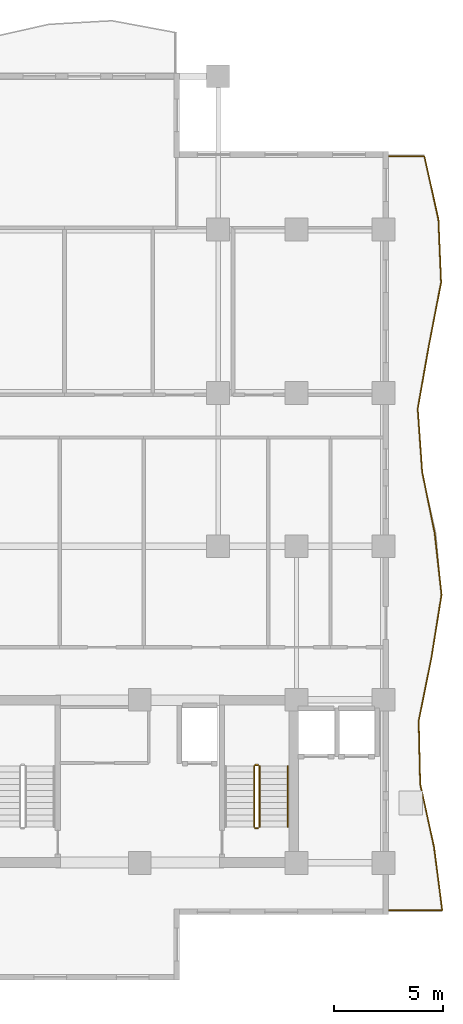
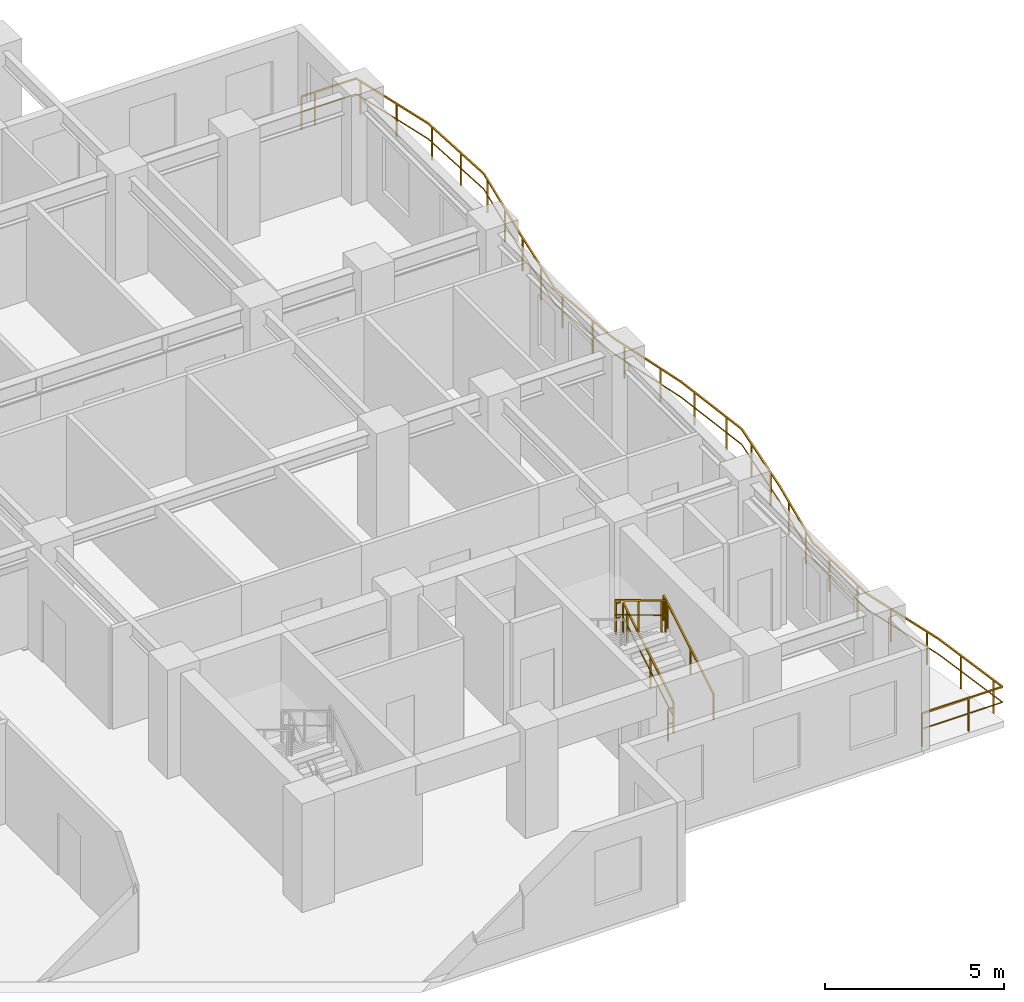
# One storey, part 12 of 13: 6 railings.
"""IFC4 building model written with IfcOpenShell, lengths in metres."""

import ifcopenshell
import ifcopenshell.guid

model = None  # the IFC model being written
_history = None  # IfcOwnerHistory: only IFC2X3 demands one
_inside = {}  # id of a spatial element -> (the spatial element, [elements in it])
_under = {}  # id of a project, library or spatial element -> (it, [spatial elements below it])
_declared = {}  # id of a project -> (the project, [libraries it declares])
_typed = {}  # id of a type object -> (the type object, [elements of that type])
_made_of = {}  # id of a material, layer set ... -> (it, [elements and type objects made of it])


def new_model(schema):
    """Start an empty IFC model of exactly this schema.

    Asked for "IFC4X3", IfcOpenShell would pick the latest addendum, in which some entities
    have other attributes; the version numbers below select the first issue.
    IFC2X3 requires an IfcOwnerHistory on every rooted entity: one is made here for all.
    """
    global model, _history
    if schema == "IFC4X3":
        model = ifcopenshell.file(schema_version=(4, 3, 0, 0))
    else:
        model = ifcopenshell.file(schema=schema)
    _inside.clear()
    _under.clear()
    _declared.clear()
    _typed.clear()
    _made_of.clear()
    _history = None
    if model.schema == "IFC2X3":
        org = make("IfcOrganization", Name="unknown")
        user = make(
            "IfcPersonAndOrganization",
            ThePerson=make("IfcPerson", FamilyName="unknown"),
            TheOrganization=org,
        )
        app = make(
            "IfcApplication",
            ApplicationDeveloper=org,
            Version="unknown",
            ApplicationFullName="unknown",
            ApplicationIdentifier="unknown",
        )
        _history = make(
            "IfcOwnerHistory",
            OwningUser=user,
            OwningApplication=app,
            ChangeAction="ADDED",
            CreationDate=0,
        )
    return model


def make(cls, **values):
    """One entity of the class cls with the attributes given. An attribute that is None is left unset."""
    return model.create_entity(
        cls, **{name: value for name, value in values.items() if value is not None}
    )


def rooted(cls, **values):
    """An entity with a GlobalId (a new one), such as an element, a storey or a relation."""
    return make(cls, GlobalId=ifcopenshell.guid.new(), OwnerHistory=_history, **values)


def si_unit(unit_type, name, prefix=None):
    """IfcSIUnit, for example si_unit("LENGTHUNIT", "METRE", prefix="MILLI")."""
    return make("IfcSIUnit", UnitType=unit_type, Prefix=prefix, Name=name)


def assignment(units):
    """IfcUnitAssignment: the units of a project."""
    return None if units is None else make("IfcUnitAssignment", Units=units)


def point(xyz):
    """IfcCartesianPoint."""
    return None if xyz is None else make("IfcCartesianPoint", Coordinates=xyz)


def direction(xyz):
    """IfcDirection."""
    return None if xyz is None else make("IfcDirection", DirectionRatios=xyz)


def frame(location, z_axis=None, x_axis=None):
    """IfcAxis2Placement3D, a coordinate frame: its origin and axes. An axis left out is left unset."""
    return make(
        "IfcAxis2Placement3D",
        Location=point(location),
        Axis=direction(z_axis),
        RefDirection=direction(x_axis),
    )


def frame_2d(location, x_axis=None):
    """IfcAxis2Placement2D, a coordinate frame in the plane: its origin and x axis."""
    return make(
        "IfcAxis2Placement2D", Location=point(location), RefDirection=direction(x_axis)
    )


def origin():
    """The frame at (0, 0, 0) with its axes left unset."""
    return frame((0.0, 0.0, 0.0))


def origin_2d():
    """The frame at (0, 0) in the plane with its x axis left unset."""
    return frame_2d((0.0, 0.0))


def place(relative_to, where):
    """IfcLocalPlacement: puts the frame where relative to a parent placement (None: the world)."""
    return make(
        "IfcLocalPlacement", PlacementRelTo=relative_to, RelativePlacement=where
    )


def context(
    kind, dimensions, precision=None, world=None, true_north=None, identifier=None
):
    """IfcGeometricRepresentationContext, for example the 3D "Model" context."""
    return make(
        "IfcGeometricRepresentationContext",
        ContextIdentifier=identifier,
        ContextType=kind,
        CoordinateSpaceDimension=dimensions,
        Precision=precision,
        WorldCoordinateSystem=world,
        TrueNorth=true_north,
    )


def subcontext(parent, identifier, kind, view, scale=None):
    """IfcGeometricRepresentationSubContext, for example "Body" below "Model"."""
    return make(
        "IfcGeometricRepresentationSubContext",
        ContextIdentifier=identifier,
        ContextType=kind,
        ParentContext=parent,
        TargetScale=scale,
        TargetView=view,
    )


def project(units=None, contexts=None):
    """IfcProject with its units and contexts."""
    return rooted(
        "IfcProject",
        Name="project",
        RepresentationContexts=contexts,
        UnitsInContext=assignment(units),
    )


def spatial(cls, under=None, at=None, **own):
    """A site, building, storey or space (cls), placed at a placement, below another one or the project."""
    s = rooted(cls, ObjectPlacement=at, **own)
    if under is not None:
        _under.setdefault(under.id(), (under, []))[1].append(s)
    return s


def profile(cls, at=None, kind="AREA", **sizes):
    """A parametric profile (cls). Its sizes go by their IFC names, for example OverallWidth=200.0."""
    return make(cls, ProfileType=kind, Position=at, **sizes)


def rectangle(**sizes):
    """IfcRectangleProfileDef."""
    return profile("IfcRectangleProfileDef", **sizes)


def extrude(swept, where, along, depth):
    """IfcExtrudedAreaSolid: the profile swept, set in the frame where, extruded along a direction by depth."""
    return make(
        "IfcExtrudedAreaSolid",
        SweptArea=swept,
        Position=where,
        ExtrudedDirection=direction(along),
        Depth=depth,
    )


def shape(context_of_items, identifier, shape_type, items):
    """IfcShapeRepresentation: the items that make up one representation, for example the "Body"."""
    return make(
        "IfcShapeRepresentation",
        ContextOfItems=context_of_items,
        RepresentationIdentifier=identifier,
        RepresentationType=shape_type,
        Items=items,
    )


def material(Name=None, Category=None):
    """IfcMaterial."""
    return make("IfcMaterial", Name=Name, Category=Category)


def made_of(thing, what):
    """Note that an element or type object is made of a material, layer set ...; save() writes the relation."""
    if what is not None:
        _made_of.setdefault(what.id(), (what, []))[1].append(thing)
    return thing


def type_object(cls, material=None, **own):
    """A type object (cls), such as IfcWallType, which elements share."""
    return made_of(rooted(cls, **own), material)


def element(
    cls,
    number,
    at=None,
    inside=None,
    cuts=None,
    type_object=None,
    material=None,
    context=None,
    identifier="Body",
    shape_type=None,
    held_by="IfcProductDefinitionShape",
    body=None,
    shapes=None,
    **own,
):
    """One element of the class cls, such as IfcWall. Its Tag is "e" and its number.

    at: its placement. inside: the storey or other place that contains it. cuts: it is an
    opening in that element (IfcRelVoidsElement). A single representation is given by context,
    identifier, shape_type and body (its items); several are given by shapes. held_by: the class
    of the entity that holds the representations. save() writes the other relations.
    """
    e = rooted(cls, Tag="e%d" % number, ObjectPlacement=at, **own)
    if body is not None:
        shapes = [shape(context, identifier, shape_type, body)]
    if shapes is not None:
        e.Representation = make(held_by, Representations=shapes)
    if inside is not None:
        _inside.setdefault(inside.id(), (inside, []))[1].append(e)
    if cuts is not None:
        rooted(
            "IfcRelVoidsElement", RelatingBuildingElement=cuts, RelatedOpeningElement=e
        )
    if type_object is not None:
        _typed.setdefault(type_object.id(), (type_object, []))[1].append(e)
    return made_of(e, material)


def aggregate(whole, parts):
    """IfcRelAggregates: a whole, such as a stair, and the parts it consists of."""
    return rooted("IfcRelAggregates", RelatingObject=whole, RelatedObjects=parts)


def save(model, path):
    """Write the relations noted so far, then the file.

    IfcRelAggregates (storeys below a building ...), IfcRelContainedInSpatialStructure (elements
    in a storey), IfcRelDefinesByType, IfcRelAssociatesMaterial and IfcRelDeclares: one each for
    every whole, place, type object, material and project.
    """
    for whole, parts in _under.values():
        aggregate(whole, parts)
    for where, things in _inside.values():
        rooted(
            "IfcRelContainedInSpatialStructure",
            RelatedElements=things,
            RelatingStructure=where,
        )
    for kind, things in _typed.values():
        rooted("IfcRelDefinesByType", RelatedObjects=things, RelatingType=kind)
    for what, things in _made_of.values():
        rooted("IfcRelAssociatesMaterial", RelatedObjects=things, RelatingMaterial=what)
    for by, libraries in _declared.values():
        rooted("IfcRelDeclares", RelatingContext=by, RelatedDefinitions=libraries)
    model.write(path)


model = new_model("IFC4")

# Units and contexts
model_context = context("Model", 3, precision=1e-05, world=origin(), true_north=direction((0.0, 1.0)))
body_context = subcontext(model_context, "Body", "Model", "MODEL_VIEW")
ifc_project = project(units=[si_unit("LENGTHUNIT", "METRE"), si_unit("AREAUNIT", "SQUARE_METRE"), si_unit("VOLUMEUNIT", "CUBIC_METRE"), si_unit("PLANEANGLEUNIT", "RADIAN"), si_unit("MASSUNIT", "GRAM", prefix="KILO")], contexts=[model_context])

# Site, building, storey
site_placement = place(None, origin())
site = spatial("IfcSite", under=ifc_project, at=site_placement, CompositionType="ELEMENT")
building_placement = place(site_placement, origin())
building = spatial("IfcBuilding", under=site, at=building_placement, Name="Kaliganga Portal Commons", CompositionType="ELEMENT")
storey_placement = place(building_placement, frame((0.0, 0.0, 166.10009765625)))
storey = spatial("IfcBuildingStorey", under=building, at=storey_placement, Name="L42", CompositionType="ELEMENT", Elevation=166.10009765625)

# Railings
ifc_material_1 = material(Name="Laminated Safety Glass and Stainless Steel 316", Category="steel")
railing_type_1 = type_object("IfcRailingType", Name="RLG-BAL-1150", PredefinedType="BALUSTRADE", material=ifc_material_1)
railing_1_placement = place(storey_placement, frame((54.50830078125, 4.879638671875, 0.0)))
element("IfcRailing", 1, at=railing_1_placement, inside=storey, type_object=railing_type_1, Name="Balcony Guardrail L42 balc_east", PredefinedType="BALUSTRADE", context=body_context, shape_type="SweptSolid", body=[
    extrude(rectangle(XDim=0.048095703125, YDim=0.048095703125, at=origin_2d()), frame((0.0, 0.0, 1.1259765625), z_axis=(0.99999999555, 9.4339622e-05, 0.0), x_axis=(-9.4339622e-05, 0.99999999555, 0.0)), (0.0, 0.0, 1.0), 2.587890625),
    extrude(rectangle(XDim=0.028076171875, YDim=0.028076171875, at=origin_2d()), frame((0.0, 0.0, 0.597900390625), z_axis=(0.99999999555, 9.4339622e-05, 0.0), x_axis=(-9.4339622e-05, 0.99999999555, 0.0)), (0.0, 0.0, 1.0), 2.587890625),
    extrude(rectangle(XDim=0.048095703125, YDim=0.048095703125, at=origin_2d()), frame((2.587890625, 0.000244140625, 1.1259765625), z_axis=(-0.128400459118, 0.991722401733, 0.0), x_axis=(-0.991722401733, -0.128400459118, 0.0)), (0.0, 0.0, 1.0), 2.92431640625),
    extrude(rectangle(XDim=0.028076171875, YDim=0.028076171875, at=origin_2d()), frame((2.587890625, 0.000244140625, 0.597900390625), z_axis=(-0.128400459118, 0.991722401733, 0.0), x_axis=(-0.991722401733, -0.128400459118, 0.0)), (0.0, 0.0, 1.0), 2.92431640625),
    extrude(rectangle(XDim=0.048095703125, YDim=0.048095703125, at=origin_2d()), frame((2.21240234375, 2.900390625, 1.1259765625), z_axis=(-0.214143216207, 0.976802274236, 0.0), x_axis=(-0.976802274236, -0.214143216207, 0.0)), (0.0, 0.0, 1.0), 2.96875),
    extrude(rectangle(XDim=0.028076171875, YDim=0.028076171875, at=origin_2d()), frame((2.21240234375, 2.900390625, 0.597900390625), z_axis=(-0.214143216207, 0.976802274236, 0.0), x_axis=(-0.976802274236, -0.214143216207, 0.0)), (0.0, 0.0, 1.0), 2.96875),
    extrude(rectangle(XDim=0.048095703125, YDim=0.048095703125, at=origin_2d()), frame((1.57666015625, 5.80029296875, 1.1259765625), z_axis=(-0.023396237328, 0.999726270576, 0.0), x_axis=(-0.999726270576, -0.023396237328, 0.0)), (0.0, 0.0, 1.0), 2.90087890625),
    extrude(rectangle(XDim=0.028076171875, YDim=0.028076171875, at=origin_2d()), frame((1.57666015625, 5.80029296875, 0.597900390625), z_axis=(-0.023396237328, 0.999726270576, 0.0), x_axis=(-0.999726270576, -0.023396237328, 0.0)), (0.0, 0.0, 1.0), 2.90087890625),
    extrude(rectangle(XDim=0.048095703125, YDim=0.048095703125, at=origin_2d()), frame((1.5087890625, 8.700439453125, 1.1259765625), z_axis=(0.197576058239, 0.980287560469, 0.0), x_axis=(-0.980287560469, 0.197576058239, 0.0)), (0.0, 0.0, 1.0), 2.958251953125),
    extrude(rectangle(XDim=0.028076171875, YDim=0.028076171875, at=origin_2d()), frame((1.5087890625, 8.700439453125, 0.597900390625), z_axis=(0.197576058239, 0.980287560469, 0.0), x_axis=(-0.980287560469, 0.197576058239, 0.0)), (0.0, 0.0, 1.0), 2.958251953125),
    extrude(rectangle(XDim=0.048095703125, YDim=0.048095703125, at=origin_2d()), frame((2.09326171875, 11.600341796875, 1.1259765625), z_axis=(0.158337716626, 0.987385014821, 0.0), x_axis=(-0.987385014821, 0.158337716626, 0.0)), (0.0, 0.0, 1.0), 2.934326171875),
    extrude(rectangle(XDim=0.028076171875, YDim=0.028076171875, at=origin_2d()), frame((2.09326171875, 11.600341796875, 0.597900390625), z_axis=(0.158337716626, 0.987385014821, 0.0), x_axis=(-0.987385014821, 0.158337716626, 0.0)), (0.0, 0.0, 1.0), 2.934326171875),
    extrude(rectangle(XDim=0.048095703125, YDim=0.048095703125, at=origin_2d()), frame((2.557861328125, 14.49755859375, 1.1259765625), z_axis=(-0.110799459341, 0.993842784252, 0.0), x_axis=(-0.993842784252, -0.110799459341, 0.0)), (0.0, 0.0, 1.0), 2.84033203125),
    extrude(rectangle(XDim=0.028076171875, YDim=0.028076171875, at=origin_2d()), frame((2.557861328125, 14.49755859375, 0.597900390625), z_axis=(-0.110799459341, 0.993842784252, 0.0), x_axis=(-0.993842784252, -0.110799459341, 0.0)), (0.0, 0.0, 1.0), 2.84033203125),
    extrude(rectangle(XDim=0.048095703125, YDim=0.048095703125, at=origin_2d()), frame((2.2431640625, 17.3203125, 1.1259765625), z_axis=(-0.20033887783, 0.979726662917, 0.0), x_axis=(-0.979726662917, -0.20033887783, 0.0)), (0.0, 0.0, 1.0), 2.87841796875),
    extrude(rectangle(XDim=0.028076171875, YDim=0.028076171875, at=origin_2d()), frame((2.2431640625, 17.3203125, 0.597900390625), z_axis=(-0.20033887783, 0.979726662917, 0.0), x_axis=(-0.979726662917, -0.20033887783, 0.0)), (0.0, 0.0, 1.0), 2.87841796875),
    extrude(rectangle(XDim=0.048095703125, YDim=0.048095703125, at=origin_2d()), frame((1.66650390625, 20.140380859375, 1.1259765625), z_axis=(-0.069784836878, 0.997562066511, 0.0), x_axis=(-0.997562066511, -0.069784836878, 0.0)), (0.0, 0.0, 1.0), 2.9072265625),
    extrude(rectangle(XDim=0.028076171875, YDim=0.028076171875, at=origin_2d()), frame((1.66650390625, 20.140380859375, 0.597900390625), z_axis=(-0.069784836878, 0.997562066511, 0.0), x_axis=(-0.997562066511, -0.069784836878, 0.0)), (0.0, 0.0, 1.0), 2.9072265625),
    extrude(rectangle(XDim=0.048095703125, YDim=0.048095703125, at=origin_2d()), frame((1.463623046875, 23.04052734375, 1.1259765625), z_axis=(0.173695468157, 0.984799413252, 0.0), x_axis=(-0.984799413252, 0.173695468157, 0.0)), (0.0, 0.0, 1.0), 2.944580078125),
    extrude(rectangle(XDim=0.028076171875, YDim=0.028076171875, at=origin_2d()), frame((1.463623046875, 23.04052734375, 0.597900390625), z_axis=(0.173695468157, 0.984799413252, 0.0), x_axis=(-0.984799413252, 0.173695468157, 0.0)), (0.0, 0.0, 1.0), 2.944580078125),
    extrude(rectangle(XDim=0.048095703125, YDim=0.048095703125, at=origin_2d()), frame((1.97509765625, 25.9404296875, 1.1259765625), z_axis=(0.190088720268, 0.981766916547, 0.0), x_axis=(-0.981766916547, 0.190088720268, 0.0)), (0.0, 0.0, 1.0), 2.9541015625),
    extrude(rectangle(XDim=0.028076171875, YDim=0.028076171875, at=origin_2d()), frame((1.97509765625, 25.9404296875, 0.597900390625), z_axis=(0.190088720268, 0.981766916547, 0.0), x_axis=(-0.981766916547, 0.190088720268, 0.0)), (0.0, 0.0, 1.0), 2.9541015625),
    extrude(rectangle(XDim=0.048095703125, YDim=0.048095703125, at=origin_2d()), frame((2.53662109375, 28.840576171875, 1.1259765625), z_axis=(-0.0421413488, 0.999111658786, 0.0), x_axis=(-0.999111658786, -0.0421413488, 0.0)), (0.0, 0.0, 1.0), 2.902587890625),
    extrude(rectangle(XDim=0.028076171875, YDim=0.028076171875, at=origin_2d()), frame((2.53662109375, 28.840576171875, 0.597900390625), z_axis=(-0.0421413488, 0.999111658786, 0.0), x_axis=(-0.999111658786, -0.0421413488, 0.0)), (0.0, 0.0, 1.0), 2.902587890625),
    extrude(rectangle(XDim=0.048095703125, YDim=0.048095703125, at=origin_2d()), frame((2.414306640625, 31.740478515625, 1.1259765625), z_axis=(-0.217904744136, 0.975970041796, 0.0), x_axis=(-0.975970041796, -0.217904744136, 0.0)), (0.0, 0.0, 1.0), 2.97119140625),
    extrude(rectangle(XDim=0.028076171875, YDim=0.028076171875, at=origin_2d()), frame((2.414306640625, 31.740478515625, 0.597900390625), z_axis=(-0.217904744136, 0.975970041796, 0.0), x_axis=(-0.975970041796, -0.217904744136, 0.0)), (0.0, 0.0, 1.0), 2.97119140625),
    extrude(rectangle(XDim=0.048095703125, YDim=0.048095703125, at=origin_2d()), frame((1.766845703125, 34.640380859375, 1.1259765625), z_axis=(-0.999999961813, 0.000276357596, 0.0), x_axis=(-0.000276357596, -0.999999961813, 0.0)), (0.0, 0.0, 1.0), 1.766845703125),
    extrude(rectangle(XDim=0.028076171875, YDim=0.028076171875, at=origin_2d()), frame((1.766845703125, 34.640380859375, 0.597900390625), z_axis=(-0.999999961813, 0.000276357596, 0.0), x_axis=(-0.000276357596, -0.999999961813, 0.0)), (0.0, 0.0, 1.0), 1.766845703125),
    extrude(rectangle(XDim=0.0419921875, YDim=0.0419921875, at=origin_2d()), origin(), (0.0, 0.0, 1.0), 1.101806640625),
    extrude(rectangle(XDim=0.0419921875, YDim=0.0419921875, at=origin_2d()), frame((1.5, 0.000244140625, 0.0)), (0.0, 0.0, 1.0), 1.101806640625),
    extrude(rectangle(XDim=0.0419921875, YDim=0.0419921875, at=origin_2d()), frame((2.534912109375, 0.408935546875, 0.0)), (0.0, 0.0, 1.0), 1.101806640625),
    extrude(rectangle(XDim=0.0419921875, YDim=0.0419921875, at=origin_2d()), frame((2.34228515625, 1.896484375, 0.0)), (0.0, 0.0, 1.0), 1.101806640625),
    extrude(rectangle(XDim=0.0419921875, YDim=0.0419921875, at=origin_2d()), frame((2.10791015625, 3.376953125, 0.0)), (0.0, 0.0, 1.0), 1.101806640625),
    extrude(rectangle(XDim=0.0419921875, YDim=0.0419921875, at=origin_2d()), frame((1.78662109375, 4.842041015625, 0.0)), (0.0, 0.0, 1.0), 1.101806640625),
    extrude(rectangle(XDim=0.0419921875, YDim=0.0419921875, at=origin_2d()), frame((1.564453125, 6.319091796875, 0.0)), (0.0, 0.0, 1.0), 1.101806640625),
    extrude(rectangle(XDim=0.0419921875, YDim=0.0419921875, at=origin_2d()), frame((1.529541015625, 7.818603515625, 0.0)), (0.0, 0.0, 1.0), 1.101806640625),
    extrude(rectangle(XDim=0.0419921875, YDim=0.0419921875, at=origin_2d()), frame((1.630859375, 9.306396484375, 0.0)), (0.0, 0.0, 1.0), 1.101806640625),
    extrude(rectangle(XDim=0.0419921875, YDim=0.0419921875, at=origin_2d()), frame((1.92724609375, 10.776611328125, 0.0)), (0.0, 0.0, 1.0), 1.101806640625),
    extrude(rectangle(XDim=0.0419921875, YDim=0.0419921875, at=origin_2d()), frame((2.19775390625, 12.251953125, 0.0)), (0.0, 0.0, 1.0), 1.101806640625),
    extrude(rectangle(XDim=0.0419921875, YDim=0.0419921875, at=origin_2d()), frame((2.435302734375, 13.73291015625, 0.0)), (0.0, 0.0, 1.0), 1.101806640625),
    extrude(rectangle(XDim=0.0419921875, YDim=0.0419921875, at=origin_2d()), frame((2.4775390625, 15.21875, 0.0)), (0.0, 0.0, 1.0), 1.101806640625),
    extrude(rectangle(XDim=0.0419921875, YDim=0.0419921875, at=origin_2d()), frame((2.311279296875, 16.70947265625, 0.0)), (0.0, 0.0, 1.0), 1.101806640625),
    extrude(rectangle(XDim=0.0419921875, YDim=0.0419921875, at=origin_2d()), frame((2.065673828125, 18.187744140625, 0.0)), (0.0, 0.0, 1.0), 1.101806640625),
    extrude(rectangle(XDim=0.0419921875, YDim=0.0419921875, at=origin_2d()), frame((1.765380859375, 19.6572265625, 0.0)), (0.0, 0.0, 1.0), 1.101806640625),
    extrude(rectangle(XDim=0.0419921875, YDim=0.0419921875, at=origin_2d()), frame((1.59619140625, 21.144775390625, 0.0)), (0.0, 0.0, 1.0), 1.101806640625),
    extrude(rectangle(XDim=0.0419921875, YDim=0.0419921875, at=origin_2d()), frame((1.491455078125, 22.64111328125, 0.0)), (0.0, 0.0, 1.0), 1.101806640625),
    extrude(rectangle(XDim=0.0419921875, YDim=0.0419921875, at=origin_2d()), frame((1.654541015625, 24.12353515625, 0.0)), (0.0, 0.0, 1.0), 1.101806640625),
    extrude(rectangle(XDim=0.0419921875, YDim=0.0419921875, at=origin_2d()), frame((1.915283203125, 25.6005859375, 0.0)), (0.0, 0.0, 1.0), 1.101806640625),
    extrude(rectangle(XDim=0.0419921875, YDim=0.0419921875, at=origin_2d()), frame((2.194580078125, 27.074462890625, 0.0)), (0.0, 0.0, 1.0), 1.101806640625),
    extrude(rectangle(XDim=0.0419921875, YDim=0.0419921875, at=origin_2d()), frame((2.479736328125, 28.547119140625, 0.0)), (0.0, 0.0, 1.0), 1.101806640625),
    extrude(rectangle(XDim=0.0419921875, YDim=0.0419921875, at=origin_2d()), frame((2.486083984375, 30.04052734375, 0.0)), (0.0, 0.0, 1.0), 1.101806640625),
    extrude(rectangle(XDim=0.0419921875, YDim=0.0419921875, at=origin_2d()), frame((2.4228515625, 31.539306640625, 0.0)), (0.0, 0.0, 1.0), 1.101806640625),
    extrude(rectangle(XDim=0.0419921875, YDim=0.0419921875, at=origin_2d()), frame((2.13134765625, 33.0078125, 0.0)), (0.0, 0.0, 1.0), 1.101806640625),
    extrude(rectangle(XDim=0.0419921875, YDim=0.0419921875, at=origin_2d()), frame((1.804443359375, 34.4716796875, 0.0)), (0.0, 0.0, 1.0), 1.101806640625),
    extrude(rectangle(XDim=0.0419921875, YDim=0.0419921875, at=origin_2d()), frame((0.439697265625, 34.640869140625, 0.0)), (0.0, 0.0, 1.0), 1.101806640625),
    extrude(rectangle(XDim=0.0419921875, YDim=0.0419921875, at=origin_2d()), frame((0.0, 34.640869140625, 0.0)), (0.0, 0.0, 1.0), 1.101806640625),
])
ifc_material_2 = material(Name="Galvanized Painted Steel Balustrade", Category="steel")
railing_type_2 = type_object("IfcRailingType", Name="RLG-STAIR-GRD", PredefinedType="GUARDRAIL", material=ifc_material_2)
railing_2_placement = place(storey_placement, frame((48.699951171875, 8.699951171875, 0.16796875)))
element("IfcRailing", 2, at=railing_2_placement, inside=storey, type_object=railing_type_2, Name="L42 ST-B2 stair guard 1", PredefinedType="GUARDRAIL", context=body_context, shape_type="SweptSolid", body=[
    extrude(rectangle(XDim=0.048095703125, YDim=0.048095703125, at=origin_2d()), frame((0.0, 0.0, 1.072021484375), z_axis=(0.0, 0.857242210791, 0.514913383045), x_axis=(-1.0, 0.0, 0.0)), (0.0, 0.0, 1.0), 3.266357421875),
    extrude(rectangle(XDim=0.028076171875, YDim=0.028076171875, at=origin_2d()), frame((0.0, 0.0, 0.572021484375), z_axis=(0.0, 0.857242210791, 0.514913383045), x_axis=(-1.0, 0.0, 0.0)), (0.0, 0.0, 1.0), 3.266357421875),
    extrude(rectangle(XDim=0.0419921875, YDim=0.0419921875, at=origin_2d()), origin(), (0.0, 0.0, 1.0), 1.052001953125),
    extrude(rectangle(XDim=0.0419921875, YDim=0.0419921875, at=origin_2d()), frame((0.0, 1.285888671875, 0.7724609375)), (0.0, 0.0, 1.0), 1.052001953125),
    extrude(rectangle(XDim=0.0419921875, YDim=0.0419921875, at=origin_2d()), frame((0.0, 2.57177734375, 1.544677734375)), (0.0, 0.0, 1.0), 1.052001953125),
    extrude(rectangle(XDim=0.0419921875, YDim=0.0419921875, at=origin_2d()), frame((0.0, 2.800048828125, 1.681884765625)), (0.0, 0.0, 1.0), 1.052001953125),
])
railing_3_placement = place(storey_placement, frame((48.64990234375, 11.550048828125, 1.849853515625)))
element("IfcRailing", 3, at=railing_3_placement, inside=storey, type_object=railing_type_2, Name="L42 ST-B2 stair guard 2", PredefinedType="GUARDRAIL", context=body_context, shape_type="SweptSolid", body=[
    extrude(rectangle(XDim=0.048095703125, YDim=0.048095703125, at=origin_2d()), frame((0.0, 0.0, 1.076171875), z_axis=(-1.0, 0.0, 0.0), x_axis=(0.0, -1.0, 0.0)), (0.0, 0.0, 1.0), 0.14990234375),
    extrude(rectangle(XDim=0.028076171875, YDim=0.028076171875, at=origin_2d()), frame((0.0, 0.0, 0.572021484375), z_axis=(-1.0, 0.0, 0.0), x_axis=(0.0, -1.0, 0.0)), (0.0, 0.0, 1.0), 0.14990234375),
    extrude(rectangle(XDim=0.0419921875, YDim=0.0419921875, at=origin_2d()), frame((-0.14990234375, 0.0, 0.0)), (0.0, 0.0, 1.0), 1.052001953125),
])
railing_4_placement = place(storey_placement, frame((48.449951171875, 11.5, 2.01806640625)))
element("IfcRailing", 4, at=railing_4_placement, inside=storey, type_object=railing_type_2, Name="L42 ST-B2 stair guard 3", PredefinedType="GUARDRAIL", context=body_context, shape_type="SweptSolid", body=[
    extrude(rectangle(XDim=0.048095703125, YDim=0.048095703125, at=origin_2d()), frame((0.0, 0.0, 1.072021484375), z_axis=(0.0, -0.857242210791, 0.514913383045), x_axis=(1.0, 0.0, 0.0)), (0.0, 0.0, 1.0), 3.266357421875),
    extrude(rectangle(XDim=0.028076171875, YDim=0.028076171875, at=origin_2d()), frame((0.0, 0.0, 0.572021484375), z_axis=(0.0, -0.857242210791, 0.514913383045), x_axis=(1.0, 0.0, 0.0)), (0.0, 0.0, 1.0), 3.266357421875),
    extrude(rectangle(XDim=0.0419921875, YDim=0.0419921875, at=origin_2d()), origin(), (0.0, 0.0, 1.0), 1.052001953125),
    extrude(rectangle(XDim=0.0419921875, YDim=0.0419921875, at=origin_2d()), frame((0.0, -1.285888671875, 0.7724609375)), (0.0, 0.0, 1.0), 1.052001953125),
    extrude(rectangle(XDim=0.0419921875, YDim=0.0419921875, at=origin_2d()), frame((0.0, -2.57177734375, 1.544677734375)), (0.0, 0.0, 1.0), 1.052001953125),
    extrude(rectangle(XDim=0.0419921875, YDim=0.0419921875, at=origin_2d()), frame((0.0, -2.800048828125, 1.681884765625)), (0.0, 0.0, 1.0), 1.052001953125),
])
railing_5_placement = place(storey_placement, frame((48.64990234375, 8.64990234375, 0.0)))
element("IfcRailing", 5, at=railing_5_placement, inside=storey, type_object=railing_type_2, Name="L42 ST-B2 stair guard 4", PredefinedType="GUARDRAIL", context=body_context, shape_type="SweptSolid", body=[
    extrude(rectangle(XDim=0.048095703125, YDim=0.048095703125, at=origin_2d()), frame((0.0, 0.0, 1.076171875), z_axis=(-1.0, 0.0, 0.0), x_axis=(0.0, -1.0, 0.0)), (0.0, 0.0, 1.0), 0.14990234375),
    extrude(rectangle(XDim=0.028076171875, YDim=0.028076171875, at=origin_2d()), frame((0.0, 0.0, 0.572021484375), z_axis=(-1.0, 0.0, 0.0), x_axis=(0.0, -1.0, 0.0)), (0.0, 0.0, 1.0), 0.14990234375),
    extrude(rectangle(XDim=0.0419921875, YDim=0.0419921875, at=origin_2d()), frame((-0.14990234375, 0.0, 0.0)), (0.0, 0.0, 1.0), 1.052001953125),
])
ifc_material_3 = material(Name="Brushed Stainless Steel 316", Category="steel")
railing_type_3 = type_object("IfcRailingType", Name="RLG-STAIR-HR", PredefinedType="HANDRAIL", material=ifc_material_3)
railing_6_placement = place(storey_placement, frame((50.0, 8.699951171875, 0.16796875)))
element("IfcRailing", 6, at=railing_6_placement, inside=storey, type_object=railing_type_3, Name="L42 ST-B2 stair handrail 1", PredefinedType="HANDRAIL", context=body_context, shape_type="SweptSolid", body=[
    extrude(rectangle(XDim=0.048095703125, YDim=0.048095703125, at=origin_2d()), frame((0.0, 0.0, 0.871826171875), z_axis=(0.0, 0.857242210791, 0.514913383045), x_axis=(-1.0, 0.0, 0.0)), (0.0, 0.0, 1.0), 3.266357421875),
    extrude(rectangle(XDim=0.0419921875, YDim=0.0419921875, at=origin_2d()), origin(), (0.0, 0.0, 1.0), 0.851806640625),
    extrude(rectangle(XDim=0.0419921875, YDim=0.0419921875, at=origin_2d()), frame((0.0, 1.285888671875, 0.7724609375)), (0.0, 0.0, 1.0), 0.851806640625),
    extrude(rectangle(XDim=0.0419921875, YDim=0.0419921875, at=origin_2d()), frame((0.0, 2.57177734375, 1.544677734375)), (0.0, 0.0, 1.0), 0.851806640625),
    extrude(rectangle(XDim=0.0419921875, YDim=0.0419921875, at=origin_2d()), frame((0.0, 2.800048828125, 1.681884765625)), (0.0, 0.0, 1.0), 0.851806640625),
])

save(model, "model.ifc")
